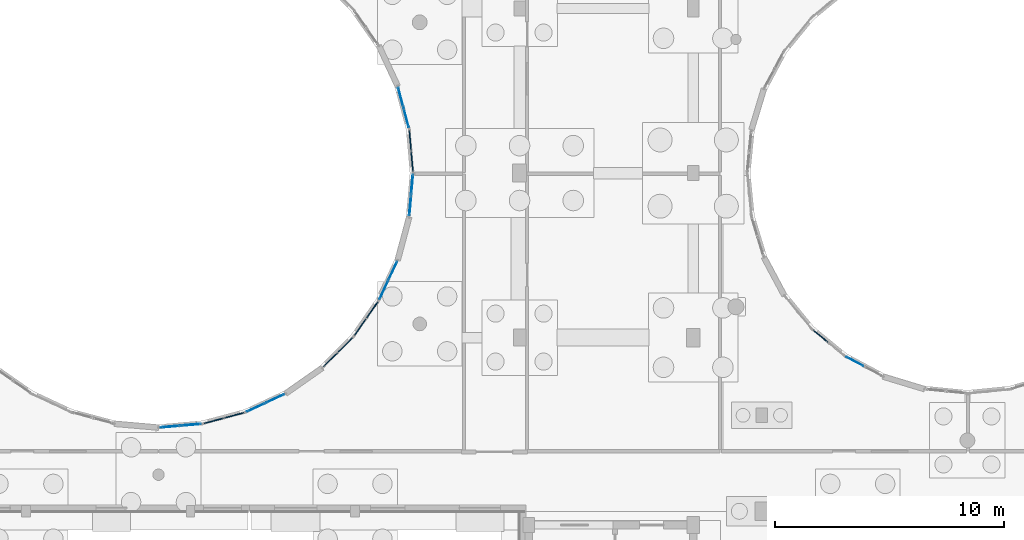
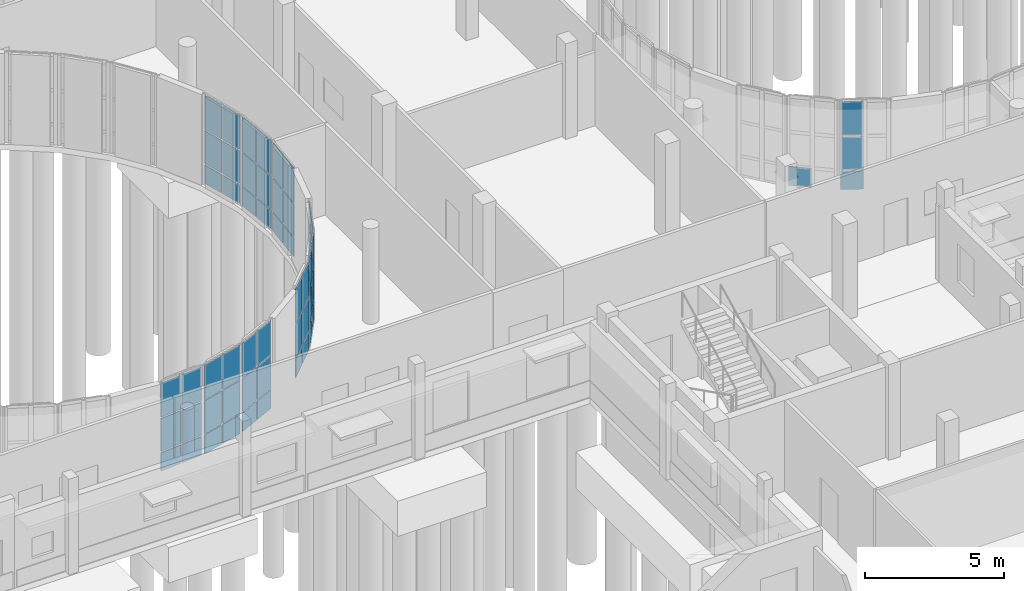
# One storey, part 51 of 93: 58 plates, 11 elements without a shape of their own.
"""IFC4 building model written with IfcOpenShell, lengths in metres."""

from ifc_helpers import new_model, si_unit, direction, frame, origin, origin_2d, place, context, subcontext, project, spatial, rectangle, extrude, material, layer, layer_set, type_object, element, aggregate, save


model = new_model("IFC4")

# Units and contexts
model_context = context("Model", 3, precision=1e-05, world=origin(), true_north=direction((0.0, 1.0)))
body_context = subcontext(model_context, "Body", "Model", "MODEL_VIEW")
ifc_project = project(units=[si_unit("LENGTHUNIT", "METRE"), si_unit("AREAUNIT", "SQUARE_METRE"), si_unit("VOLUMEUNIT", "CUBIC_METRE"), si_unit("PLANEANGLEUNIT", "RADIAN"), si_unit("MASSUNIT", "GRAM", prefix="KILO")], contexts=[model_context])

# Site, building, storey
site_placement = place(None, origin())
site = spatial("IfcSite", under=ifc_project, at=site_placement, CompositionType="ELEMENT")
building_placement = place(site_placement, origin())
building = spatial("IfcBuilding", under=site, at=building_placement, Name="Kelanivale Promenade Academy", CompositionType="ELEMENT")
storey_placement = place(building_placement, origin())
storey = spatial("IfcBuildingStorey", under=building, at=storey_placement, Name="L00", CompositionType="ELEMENT", Elevation=0.0)

# Curtain wall, plates
ifc_material_1 = material(Name="Bronze anodised aluminium and solar-control low-E glass", Category="aluminium")
ifc_layer_1 = layer(ifc_material_1, 0.169921875)
ifc_layer_set_1 = layer_set([ifc_layer_1], Name="Bronze anodised aluminium and solar-control low-E glass")
curtain_wall_type_1 = type_object("IfcCurtainWallType", Name="CW-16 Curtain Wall 1800mm Module", PredefinedType="USERDEFINED", material=ifc_layer_set_1)
curtain_wall_1_placement = place(storey_placement, origin())
curtain_wall_1 = element("IfcCurtainWall", 1, at=curtain_wall_1_placement, inside=storey, type_object=curtain_wall_type_1, Name="L00 courtyard curtain wall CW-16", ObjectType="COURTYARD SCREEN GLAZING", PredefinedType="USERDEFINED")
ifc_material_2 = material(Name="Solar-control double glazing 28 mm", Category="glass")
ifc_layer_2 = layer(ifc_material_2, 0.028076171875)
ifc_layer_set_2 = layer_set([ifc_layer_2], Name="Solar-control double glazing 28 mm")
plate_type_1 = type_object("IfcPlateType", Name="CWP-01 Plate 28mm", PredefinedType="CURTAIN_PANEL", material=ifc_layer_set_2)
plate_1_placement = place(storey_placement, frame((93.8779296875, 48.552490234375, 0.06005859375), z_axis=(0.0, 0.0, 1.0), x_axis=(0.881978204448, -0.471290193914, 0.0)))
plate_1 = element("IfcPlate", 2, at=plate_1_placement, type_object=plate_type_1, Name="CW-16 panel 1.1", PredefinedType="CURTAIN_PANEL", context=body_context, shape_type="SweptSolid", body=[
    extrude(rectangle(XDim=0.82666015625, YDim=0.028076171875, at=origin_2d()), origin(), (0.0, 0.0, 1.0), 0.81005859375),
])
plate_2_placement = place(storey_placement, frame((93.8779296875, 48.552490234375, 0.929931640625), z_axis=(0.0, 0.0, 1.0), x_axis=(0.881978204448, -0.471290193914, 0.0)))
plate_2 = element("IfcPlate", 3, at=plate_2_placement, type_object=plate_type_1, Name="CW-16 panel 1.2", PredefinedType="CURTAIN_PANEL", context=body_context, shape_type="SweptSolid", body=[
    extrude(rectangle(XDim=0.82666015625, YDim=0.028076171875, at=origin_2d()), origin(), (0.0, 0.0, 1.0), 1.43994140625),
])
plate_3_placement = place(storey_placement, frame((93.8779296875, 48.552490234375, 2.43017578125), z_axis=(0.0, 0.0, 1.0), x_axis=(0.881978204448, -0.471290193914, 0.0)))
plate_3 = element("IfcPlate", 4, at=plate_3_placement, type_object=plate_type_1, Name="CW-16 panel 1.3", PredefinedType="CURTAIN_PANEL", context=body_context, shape_type="SweptSolid", body=[
    extrude(rectangle(XDim=0.82666015625, YDim=0.028076171875, at=origin_2d()), origin(), (0.0, 0.0, 1.0), 1.489990234375),
])
aggregate(curtain_wall_1, [plate_1, plate_2, plate_3])

ifc_layer_3 = layer(ifc_material_1, 0.169921875)
ifc_layer_set_3 = layer_set([ifc_layer_3], Name="Bronze anodised aluminium and solar-control low-E glass")
curtain_wall_type_2 = type_object("IfcCurtainWallType", Name="CW-22 Curtain Wall 1800mm Module", PredefinedType="USERDEFINED", material=ifc_layer_set_3)
curtain_wall_2_placement = place(storey_placement, origin())
curtain_wall_2 = element("IfcCurtainWall", 5, at=curtain_wall_2_placement, inside=storey, type_object=curtain_wall_type_2, Name="L00 courtyard curtain wall CW-22", ObjectType="COURTYARD SCREEN GLAZING", PredefinedType="USERDEFINED")
plate_4_placement = place(storey_placement, frame((67.66552734375, 46.543701171875, 0.0498046875), z_axis=(0.0, 0.0, 1.0), x_axis=(0.906089128146, 0.423086860887, 0.0)))
plate_4 = element("IfcPlate", 6, at=plate_4_placement, type_object=plate_type_1, Name="CW-22 panel 1.1", PredefinedType="CURTAIN_PANEL", context=body_context, shape_type="SweptSolid", body=[
    extrude(rectangle(XDim=0.861328125, YDim=0.028076171875, at=origin_2d()), origin(), (0.0, 0.0, 1.0), 0.824951171875),
])
plate_5_placement = place(storey_placement, frame((67.66552734375, 46.543701171875, 0.9248046875), z_axis=(0.0, 0.0, 1.0), x_axis=(0.906089128146, 0.423086860887, 0.0)))
plate_5 = element("IfcPlate", 7, at=plate_5_placement, type_object=plate_type_1, Name="CW-22 panel 1.2", PredefinedType="CURTAIN_PANEL", context=body_context, shape_type="SweptSolid", body=[
    extrude(rectangle(XDim=0.861328125, YDim=0.028076171875, at=origin_2d()), origin(), (0.0, 0.0, 1.0), 1.449951171875),
])
plate_6_placement = place(storey_placement, frame((67.66552734375, 46.543701171875, 2.425048828125), z_axis=(0.0, 0.0, 1.0), x_axis=(0.906089128146, 0.423086860887, 0.0)))
plate_6 = element("IfcPlate", 8, at=plate_6_placement, type_object=plate_type_1, Name="CW-22 panel 1.3", PredefinedType="CURTAIN_PANEL", context=body_context, shape_type="SweptSolid", body=[
    extrude(rectangle(XDim=0.861328125, YDim=0.028076171875, at=origin_2d()), origin(), (0.0, 0.0, 1.0), 1.5048828125),
])
plate_7_placement = place(storey_placement, frame((68.50048828125, 46.933349609375, 0.0498046875), z_axis=(0.0, 0.0, 1.0), x_axis=(0.906089128146, 0.423086860887, 0.0)))
plate_7 = element("IfcPlate", 9, at=plate_7_placement, type_object=plate_type_1, Name="CW-22 panel 2.1", PredefinedType="CURTAIN_PANEL", context=body_context, shape_type="SweptSolid", body=[
    extrude(rectangle(XDim=0.861328125, YDim=0.028076171875, at=origin_2d()), origin(), (0.0, 0.0, 1.0), 0.824951171875),
])
plate_8_placement = place(storey_placement, frame((68.50048828125, 46.933349609375, 0.9248046875), z_axis=(0.0, 0.0, 1.0), x_axis=(0.906089128146, 0.423086860887, 0.0)))
plate_8 = element("IfcPlate", 10, at=plate_8_placement, type_object=plate_type_1, Name="CW-22 panel 2.2", PredefinedType="CURTAIN_PANEL", context=body_context, shape_type="SweptSolid", body=[
    extrude(rectangle(XDim=0.861328125, YDim=0.028076171875, at=origin_2d()), origin(), (0.0, 0.0, 1.0), 1.449951171875),
])
plate_9_placement = place(storey_placement, frame((68.50048828125, 46.933349609375, 2.425048828125), z_axis=(0.0, 0.0, 1.0), x_axis=(0.906089128146, 0.423086860887, 0.0)))
plate_9 = element("IfcPlate", 11, at=plate_9_placement, type_object=plate_type_1, Name="CW-22 panel 2.3", PredefinedType="CURTAIN_PANEL", context=body_context, shape_type="SweptSolid", body=[
    extrude(rectangle(XDim=0.861328125, YDim=0.028076171875, at=origin_2d()), origin(), (0.0, 0.0, 1.0), 1.5048828125),
])
aggregate(curtain_wall_2, [plate_4, plate_5, plate_6, plate_7, plate_8, plate_9])

ifc_layer_4 = layer(ifc_material_1, 0.169921875)
ifc_layer_set_4 = layer_set([ifc_layer_4], Name="Bronze anodised aluminium and solar-control low-E glass")
curtain_wall_type_3 = type_object("IfcCurtainWallType", Name="CW-01 Curtain Wall 1350mm Module", PredefinedType="USERDEFINED", material=ifc_layer_set_4)
curtain_wall_3_placement = place(storey_placement, origin())
curtain_wall_3 = element("IfcCurtainWall", 12, at=curtain_wall_3_placement, inside=storey, type_object=curtain_wall_type_3, Name="L00 courtyard curtain wall CW-01", ObjectType="UNITISED GLAZING", PredefinedType="USERDEFINED")
plate_10_placement = place(storey_placement, frame((73.260498046875, 51.685546875, 0.0498046875), z_axis=(0.0, 0.0, 1.0), x_axis=(0.423086860887, 0.906089128146, 0.0)))
plate_10 = element("IfcPlate", 13, at=plate_10_placement, type_object=plate_type_1, Name="CW-01 panel 1.1", PredefinedType="CURTAIN_PANEL", context=body_context, shape_type="SweptSolid", body=[
    extrude(rectangle(XDim=0.861328125, YDim=0.028076171875, at=origin_2d()), origin(), (0.0, 0.0, 1.0), 0.824951171875),
])
plate_11_placement = place(storey_placement, frame((73.260498046875, 51.685546875, 0.9248046875), z_axis=(0.0, 0.0, 1.0), x_axis=(0.423086860887, 0.906089128146, 0.0)))
plate_11 = element("IfcPlate", 14, at=plate_11_placement, type_object=plate_type_1, Name="CW-01 panel 1.2", PredefinedType="CURTAIN_PANEL", context=body_context, shape_type="SweptSolid", body=[
    extrude(rectangle(XDim=0.861328125, YDim=0.028076171875, at=origin_2d()), origin(), (0.0, 0.0, 1.0), 1.449951171875),
])
plate_12_placement = place(storey_placement, frame((73.260498046875, 51.685546875, 2.425048828125), z_axis=(0.0, 0.0, 1.0), x_axis=(0.423086860887, 0.906089128146, 0.0)))
plate_12 = element("IfcPlate", 15, at=plate_12_placement, type_object=plate_type_1, Name="CW-01 panel 1.3", PredefinedType="CURTAIN_PANEL", context=body_context, shape_type="SweptSolid", body=[
    extrude(rectangle(XDim=0.861328125, YDim=0.028076171875, at=origin_2d()), origin(), (0.0, 0.0, 1.0), 1.5048828125),
])
plate_13_placement = place(storey_placement, frame((73.650390625, 52.5205078125, 0.0498046875), z_axis=(0.0, 0.0, 1.0), x_axis=(0.423086860887, 0.906089128146, 0.0)))
plate_13 = element("IfcPlate", 16, at=plate_13_placement, type_object=plate_type_1, Name="CW-01 panel 2.1", PredefinedType="CURTAIN_PANEL", context=body_context, shape_type="SweptSolid", body=[
    extrude(rectangle(XDim=0.861328125, YDim=0.028076171875, at=origin_2d()), origin(), (0.0, 0.0, 1.0), 0.824951171875),
])
plate_14_placement = place(storey_placement, frame((73.650390625, 52.5205078125, 0.9248046875), z_axis=(0.0, 0.0, 1.0), x_axis=(0.423086860887, 0.906089128146, 0.0)))
plate_14 = element("IfcPlate", 17, at=plate_14_placement, type_object=plate_type_1, Name="CW-01 panel 2.2", PredefinedType="CURTAIN_PANEL", context=body_context, shape_type="SweptSolid", body=[
    extrude(rectangle(XDim=0.861328125, YDim=0.028076171875, at=origin_2d()), origin(), (0.0, 0.0, 1.0), 1.449951171875),
])
plate_15_placement = place(storey_placement, frame((73.650390625, 52.5205078125, 2.425048828125), z_axis=(0.0, 0.0, 1.0), x_axis=(0.423086860887, 0.906089128146, 0.0)))
plate_15 = element("IfcPlate", 18, at=plate_15_placement, type_object=plate_type_1, Name="CW-01 panel 2.3", PredefinedType="CURTAIN_PANEL", context=body_context, shape_type="SweptSolid", body=[
    extrude(rectangle(XDim=0.861328125, YDim=0.028076171875, at=origin_2d()), origin(), (0.0, 0.0, 1.0), 1.5048828125),
])
aggregate(curtain_wall_3, [plate_10, plate_11, plate_12, plate_13, plate_14, plate_15])

ifc_layer_5 = layer(ifc_material_1, 0.169921875)
ifc_layer_set_5 = layer_set([ifc_layer_5], Name="Bronze anodised aluminium and solar-control low-E glass")
curtain_wall_type_4 = type_object("IfcCurtainWallType", Name="CW-04 Curtain Wall 1800mm Module", PredefinedType="USERDEFINED", material=ifc_layer_set_5)
curtain_wall_4_placement = place(storey_placement, origin())
curtain_wall_4 = element("IfcCurtainWall", 19, at=curtain_wall_4_placement, inside=storey, type_object=curtain_wall_type_4, Name="L00 courtyard curtain wall CW-04", ObjectType="UNITISED GLAZING", PredefinedType="USERDEFINED")
plate_16_placement = place(storey_placement, frame((74.24072265625, 59.22119140625, 0.06005859375), z_axis=(0.0, 0.0, 1.0), x_axis=(-0.258578458902, 0.965990259056, 0.0)))
plate_16 = element("IfcPlate", 20, at=plate_16_placement, type_object=plate_type_1, Name="CW-04 panel 1.1", PredefinedType="CURTAIN_PANEL", context=body_context, shape_type="SweptSolid", body=[
    extrude(rectangle(XDim=0.853759765625, YDim=0.028076171875, at=origin_2d()), origin(), (0.0, 0.0, 1.0), 0.81005859375),
])
plate_17_placement = place(storey_placement, frame((74.24072265625, 59.22119140625, 0.929931640625), z_axis=(0.0, 0.0, 1.0), x_axis=(-0.258578458902, 0.965990259056, 0.0)))
plate_17 = element("IfcPlate", 21, at=plate_17_placement, type_object=plate_type_1, Name="CW-04 panel 1.2", PredefinedType="CURTAIN_PANEL", context=body_context, shape_type="SweptSolid", body=[
    extrude(rectangle(XDim=0.853759765625, YDim=0.028076171875, at=origin_2d()), origin(), (0.0, 0.0, 1.0), 1.43994140625),
])
plate_18_placement = place(storey_placement, frame((74.24072265625, 59.22119140625, 2.43017578125), z_axis=(0.0, 0.0, 1.0), x_axis=(-0.258578458902, 0.965990259056, 0.0)))
plate_18 = element("IfcPlate", 22, at=plate_18_placement, type_object=plate_type_1, Name="CW-04 panel 1.3", PredefinedType="CURTAIN_PANEL", context=body_context, shape_type="SweptSolid", body=[
    extrude(rectangle(XDim=0.853759765625, YDim=0.028076171875, at=origin_2d()), origin(), (0.0, 0.0, 1.0), 1.489990234375),
])
plate_19_placement = place(storey_placement, frame((74.003173828125, 60.10888671875, 0.06005859375), z_axis=(0.0, 0.0, 1.0), x_axis=(-0.258578458902, 0.965990259056, 0.0)))
plate_19 = element("IfcPlate", 23, at=plate_19_placement, type_object=plate_type_1, Name="CW-04 panel 2.1", PredefinedType="CURTAIN_PANEL", context=body_context, shape_type="SweptSolid", body=[
    extrude(rectangle(XDim=0.853759765625, YDim=0.028076171875, at=origin_2d()), origin(), (0.0, 0.0, 1.0), 0.81005859375),
])
plate_20_placement = place(storey_placement, frame((74.003173828125, 60.10888671875, 0.929931640625), z_axis=(0.0, 0.0, 1.0), x_axis=(-0.258578458902, 0.965990259056, 0.0)))
plate_20 = element("IfcPlate", 24, at=plate_20_placement, type_object=plate_type_1, Name="CW-04 panel 2.2", PredefinedType="CURTAIN_PANEL", context=body_context, shape_type="SweptSolid", body=[
    extrude(rectangle(XDim=0.853759765625, YDim=0.028076171875, at=origin_2d()), origin(), (0.0, 0.0, 1.0), 1.43994140625),
])
plate_21_placement = place(storey_placement, frame((74.003173828125, 60.10888671875, 2.43017578125), z_axis=(0.0, 0.0, 1.0), x_axis=(-0.258578458902, 0.965990259056, 0.0)))
plate_21 = element("IfcPlate", 25, at=plate_21_placement, type_object=plate_type_1, Name="CW-04 panel 2.3", PredefinedType="CURTAIN_PANEL", context=body_context, shape_type="SweptSolid", body=[
    extrude(rectangle(XDim=0.853759765625, YDim=0.028076171875, at=origin_2d()), origin(), (0.0, 0.0, 1.0), 1.489990234375),
])
aggregate(curtain_wall_4, [plate_16, plate_17, plate_18, plate_19, plate_20, plate_21])

ifc_layer_6 = layer(ifc_material_1, 0.179931640625)
ifc_layer_set_6 = layer_set([ifc_layer_6], Name="Bronze anodised aluminium and solar-control low-E glass")
curtain_wall_type_5 = type_object("IfcCurtainWallType", Name="CW-20 Curtain Wall 1500mm Module", PredefinedType="USERDEFINED", material=ifc_layer_set_6)
curtain_wall_5_placement = place(storey_placement, origin())
curtain_wall_5 = element("IfcCurtainWall", 26, at=curtain_wall_5_placement, inside=storey, type_object=curtain_wall_type_5, Name="L00 courtyard curtain wall CW-20", ObjectType="COURTYARD SCREEN GLAZING", PredefinedType="USERDEFINED")
ifc_material_3 = material(Name="Acoustic laminated double glazing 36 mm", Category="glass")
ifc_layer_7 = layer(ifc_material_3, 0.035888671875)
ifc_layer_set_7 = layer_set([ifc_layer_7], Name="Acoustic laminated double glazing 36 mm")
plate_type_2 = type_object("IfcPlateType", Name="CWP-02 Plate 36mm", PredefinedType="CURTAIN_PANEL", material=ifc_layer_set_7)
plate_22_placement = place(storey_placement, frame((63.9169921875, 45.704833984375, 0.06005859375), z_axis=(0.0, 0.0, 1.0), x_axis=(0.996185153601, 0.087264768066, 0.0)))
plate_22 = element("IfcPlate", 27, at=plate_22_placement, type_object=plate_type_2, Name="CW-20 panel 1.1", PredefinedType="CURTAIN_PANEL", context=body_context, shape_type="SweptSolid", body=[
    extrude(rectangle(XDim=0.853515625, YDim=0.035888671875, at=origin_2d()), origin(), (0.0, 0.0, 1.0), 0.81005859375),
])
plate_23_placement = place(storey_placement, frame((63.9169921875, 45.704833984375, 0.929931640625), z_axis=(0.0, 0.0, 1.0), x_axis=(0.996185153601, 0.087264768066, 0.0)))
plate_23 = element("IfcPlate", 28, at=plate_23_placement, type_object=plate_type_2, Name="CW-20 panel 1.2", PredefinedType="CURTAIN_PANEL", context=body_context, shape_type="SweptSolid", body=[
    extrude(rectangle(XDim=0.853515625, YDim=0.035888671875, at=origin_2d()), origin(), (0.0, 0.0, 1.0), 1.43994140625),
])
plate_24_placement = place(storey_placement, frame((63.9169921875, 45.704833984375, 2.43017578125), z_axis=(0.0, 0.0, 1.0), x_axis=(0.996185153601, 0.087264768066, 0.0)))
plate_24 = element("IfcPlate", 29, at=plate_24_placement, type_object=plate_type_2, Name="CW-20 panel 1.3", PredefinedType="CURTAIN_PANEL", context=body_context, shape_type="SweptSolid", body=[
    extrude(rectangle(XDim=0.853515625, YDim=0.035888671875, at=origin_2d()), origin(), (0.0, 0.0, 1.0), 1.489990234375),
])
plate_25_placement = place(storey_placement, frame((64.83203125, 45.78515625, 0.06005859375), z_axis=(0.0, 0.0, 1.0), x_axis=(0.996185153601, 0.087264768066, 0.0)))
plate_25 = element("IfcPlate", 30, at=plate_25_placement, type_object=plate_type_2, Name="CW-20 panel 2.1", PredefinedType="CURTAIN_PANEL", context=body_context, shape_type="SweptSolid", body=[
    extrude(rectangle(XDim=0.853515625, YDim=0.035888671875, at=origin_2d()), origin(), (0.0, 0.0, 1.0), 0.81005859375),
])
plate_26_placement = place(storey_placement, frame((64.83203125, 45.78515625, 0.929931640625), z_axis=(0.0, 0.0, 1.0), x_axis=(0.996185153601, 0.087264768066, 0.0)))
plate_26 = element("IfcPlate", 31, at=plate_26_placement, type_object=plate_type_2, Name="CW-20 panel 2.2", PredefinedType="CURTAIN_PANEL", context=body_context, shape_type="SweptSolid", body=[
    extrude(rectangle(XDim=0.853515625, YDim=0.035888671875, at=origin_2d()), origin(), (0.0, 0.0, 1.0), 1.43994140625),
])
plate_27_placement = place(storey_placement, frame((64.83203125, 45.78515625, 2.43017578125), z_axis=(0.0, 0.0, 1.0), x_axis=(0.996185153601, 0.087264768066, 0.0)))
plate_27 = element("IfcPlate", 32, at=plate_27_placement, type_object=plate_type_2, Name="CW-20 panel 2.3", PredefinedType="CURTAIN_PANEL", context=body_context, shape_type="SweptSolid", body=[
    extrude(rectangle(XDim=0.853515625, YDim=0.035888671875, at=origin_2d()), origin(), (0.0, 0.0, 1.0), 1.489990234375),
])
aggregate(curtain_wall_5, [plate_22, plate_23, plate_24, plate_25, plate_26, plate_27])

ifc_layer_8 = layer(ifc_material_1, 0.179931640625)
ifc_layer_set_8 = layer_set([ifc_layer_8], Name="Bronze anodised aluminium and solar-control low-E glass")
curtain_wall_type_6 = type_object("IfcCurtainWallType", Name="CW-23 Curtain Wall 1950mm Module", PredefinedType="USERDEFINED", material=ifc_layer_set_8)
curtain_wall_6_placement = place(storey_placement, origin())
curtain_wall_6 = element("IfcCurtainWall", 33, at=curtain_wall_6_placement, inside=storey, type_object=curtain_wall_type_6, Name="L00 courtyard curtain wall CW-23", ObjectType="COURTYARD SCREEN GLAZING", PredefinedType="USERDEFINED")
plate_28_placement = place(storey_placement, frame((70.928466796875, 48.633544921875, 0.0498046875), z_axis=(0.0, 0.0, 1.0), x_axis=(0.707106781187, 0.707106781187, 0.0)))
plate_28 = element("IfcPlate", 34, at=plate_28_placement, type_object=plate_type_2, Name="CW-23 panel 1.1", PredefinedType="CURTAIN_PANEL", context=body_context, shape_type="SweptSolid", body=[
    extrude(rectangle(XDim=0.852783203125, YDim=0.035888671875, at=origin_2d()), origin(), (0.0, 0.0, 1.0), 0.824951171875),
])
plate_29_placement = place(storey_placement, frame((70.928466796875, 48.633544921875, 0.9248046875), z_axis=(0.0, 0.0, 1.0), x_axis=(0.707106781187, 0.707106781187, 0.0)))
plate_29 = element("IfcPlate", 35, at=plate_29_placement, type_object=plate_type_2, Name="CW-23 panel 1.2", PredefinedType="CURTAIN_PANEL", context=body_context, shape_type="SweptSolid", body=[
    extrude(rectangle(XDim=0.852783203125, YDim=0.035888671875, at=origin_2d()), origin(), (0.0, 0.0, 1.0), 1.449951171875),
])
plate_30_placement = place(storey_placement, frame((70.928466796875, 48.633544921875, 2.425048828125), z_axis=(0.0, 0.0, 1.0), x_axis=(0.707106781187, 0.707106781187, 0.0)))
plate_30 = element("IfcPlate", 36, at=plate_30_placement, type_object=plate_type_2, Name="CW-23 panel 1.3", PredefinedType="CURTAIN_PANEL", context=body_context, shape_type="SweptSolid", body=[
    extrude(rectangle(XDim=0.852783203125, YDim=0.035888671875, at=origin_2d()), origin(), (0.0, 0.0, 1.0), 1.5048828125),
])
plate_31_placement = place(storey_placement, frame((71.577392578125, 49.282470703125, 0.0498046875), z_axis=(0.0, 0.0, 1.0), x_axis=(0.707106781187, 0.707106781187, 0.0)))
plate_31 = element("IfcPlate", 37, at=plate_31_placement, type_object=plate_type_2, Name="CW-23 panel 2.1", PredefinedType="CURTAIN_PANEL", context=body_context, shape_type="SweptSolid", body=[
    extrude(rectangle(XDim=0.852783203125, YDim=0.035888671875, at=origin_2d()), origin(), (0.0, 0.0, 1.0), 0.824951171875),
])
plate_32_placement = place(storey_placement, frame((71.577392578125, 49.282470703125, 0.9248046875), z_axis=(0.0, 0.0, 1.0), x_axis=(0.707106781187, 0.707106781187, 0.0)))
plate_32 = element("IfcPlate", 38, at=plate_32_placement, type_object=plate_type_2, Name="CW-23 panel 2.2", PredefinedType="CURTAIN_PANEL", context=body_context, shape_type="SweptSolid", body=[
    extrude(rectangle(XDim=0.852783203125, YDim=0.035888671875, at=origin_2d()), origin(), (0.0, 0.0, 1.0), 1.449951171875),
])
plate_33_placement = place(storey_placement, frame((71.577392578125, 49.282470703125, 2.425048828125), z_axis=(0.0, 0.0, 1.0), x_axis=(0.707106781187, 0.707106781187, 0.0)))
plate_33 = element("IfcPlate", 39, at=plate_33_placement, type_object=plate_type_2, Name="CW-23 panel 2.3", PredefinedType="CURTAIN_PANEL", context=body_context, shape_type="SweptSolid", body=[
    extrude(rectangle(XDim=0.852783203125, YDim=0.035888671875, at=origin_2d()), origin(), (0.0, 0.0, 1.0), 1.5048828125),
])
aggregate(curtain_wall_6, [plate_28, plate_29, plate_30, plate_31, plate_32, plate_33])

ifc_layer_9 = layer(ifc_material_1, 0.179931640625)
ifc_layer_set_9 = layer_set([ifc_layer_9], Name="Bronze anodised aluminium and solar-control low-E glass")
curtain_wall_type_7 = type_object("IfcCurtainWallType", Name="CW-02 Curtain Wall 1500mm Module", PredefinedType="USERDEFINED", material=ifc_layer_set_9)
curtain_wall_7_placement = place(storey_placement, origin())
curtain_wall_7 = element("IfcCurtainWall", 40, at=curtain_wall_7_placement, inside=storey, type_object=curtain_wall_type_7, Name="L00 courtyard curtain wall CW-02", ObjectType="UNITISED GLAZING", PredefinedType="USERDEFINED")
plate_34_placement = place(storey_placement, frame((74.415771484375, 55.381591796875, 0.0498046875), z_axis=(0.0, 0.0, 1.0), x_axis=(0.087264768066, 0.996185153601, 0.0)))
plate_34 = element("IfcPlate", 41, at=plate_34_placement, type_object=plate_type_2, Name="CW-02 panel 1.1", PredefinedType="CURTAIN_PANEL", context=body_context, shape_type="SweptSolid", body=[
    extrude(rectangle(XDim=0.861083984375, YDim=0.035888671875, at=origin_2d()), origin(), (0.0, 0.0, 1.0), 0.824951171875),
])
plate_35_placement = place(storey_placement, frame((74.415771484375, 55.381591796875, 0.9248046875), z_axis=(0.0, 0.0, 1.0), x_axis=(0.087264768066, 0.996185153601, 0.0)))
plate_35 = element("IfcPlate", 42, at=plate_35_placement, type_object=plate_type_2, Name="CW-02 panel 1.2", PredefinedType="CURTAIN_PANEL", context=body_context, shape_type="SweptSolid", body=[
    extrude(rectangle(XDim=0.861083984375, YDim=0.035888671875, at=origin_2d()), origin(), (0.0, 0.0, 1.0), 1.449951171875),
])
plate_36_placement = place(storey_placement, frame((74.415771484375, 55.381591796875, 2.425048828125), z_axis=(0.0, 0.0, 1.0), x_axis=(0.087264768066, 0.996185153601, 0.0)))
plate_36 = element("IfcPlate", 43, at=plate_36_placement, type_object=plate_type_2, Name="CW-02 panel 1.3", PredefinedType="CURTAIN_PANEL", context=body_context, shape_type="SweptSolid", body=[
    extrude(rectangle(XDim=0.861083984375, YDim=0.035888671875, at=origin_2d()), origin(), (0.0, 0.0, 1.0), 1.5048828125),
])
plate_37_placement = place(storey_placement, frame((74.49609375, 56.29931640625, 0.0498046875), z_axis=(0.0, 0.0, 1.0), x_axis=(0.087264768066, 0.996185153601, 0.0)))
plate_37 = element("IfcPlate", 44, at=plate_37_placement, type_object=plate_type_2, Name="CW-02 panel 2.1", PredefinedType="CURTAIN_PANEL", context=body_context, shape_type="SweptSolid", body=[
    extrude(rectangle(XDim=0.861083984375, YDim=0.035888671875, at=origin_2d()), origin(), (0.0, 0.0, 1.0), 0.824951171875),
])
plate_38_placement = place(storey_placement, frame((74.49609375, 56.29931640625, 0.9248046875), z_axis=(0.0, 0.0, 1.0), x_axis=(0.087264768066, 0.996185153601, 0.0)))
plate_38 = element("IfcPlate", 45, at=plate_38_placement, type_object=plate_type_2, Name="CW-02 panel 2.2", PredefinedType="CURTAIN_PANEL", context=body_context, shape_type="SweptSolid", body=[
    extrude(rectangle(XDim=0.861083984375, YDim=0.035888671875, at=origin_2d()), origin(), (0.0, 0.0, 1.0), 1.449951171875),
])
plate_39_placement = place(storey_placement, frame((74.49609375, 56.29931640625, 2.425048828125), z_axis=(0.0, 0.0, 1.0), x_axis=(0.087264768066, 0.996185153601, 0.0)))
plate_39 = element("IfcPlate", 46, at=plate_39_placement, type_object=plate_type_2, Name="CW-02 panel 2.3", PredefinedType="CURTAIN_PANEL", context=body_context, shape_type="SweptSolid", body=[
    extrude(rectangle(XDim=0.861083984375, YDim=0.035888671875, at=origin_2d()), origin(), (0.0, 0.0, 1.0), 1.5048828125),
])
aggregate(curtain_wall_7, [plate_34, plate_35, plate_36, plate_37, plate_38, plate_39])

# Curtain wall, plate
ifc_layer_10 = layer(ifc_material_1, 0.159912109375)
ifc_layer_set_10 = layer_set([ifc_layer_10], Name="Bronze anodised aluminium and solar-control low-E glass")
curtain_wall_type_8 = type_object("IfcCurtainWallType", Name="CW-15 Curtain Wall 1650mm Module", PredefinedType="USERDEFINED", material=ifc_layer_set_10)
curtain_wall_8_placement = place(storey_placement, origin())
curtain_wall_8 = element("IfcCurtainWall", 47, at=curtain_wall_8_placement, inside=storey, type_object=curtain_wall_type_8, Name="L00 courtyard curtain wall CW-15", ObjectType="COURTYARD SCREEN GLAZING", PredefinedType="USERDEFINED")
ifc_material_4 = material(Name="Insulated bronze aluminium spandrel panel 44 mm", Category="aluminium")
ifc_layer_11 = layer(ifc_material_4, 0.0439453125)
ifc_layer_set_11 = layer_set([ifc_layer_11], Name="Insulated bronze aluminium spandrel panel 44 mm")
plate_type_3 = type_object("IfcPlateType", Name="CWP-03 Plate 44mm", PredefinedType="CURTAIN_PANEL", material=ifc_layer_set_11)
plate_40_placement = place(storey_placement, frame((92.365478515625, 49.66845703125, 0.0498046875), z_axis=(0.0, 0.0, 1.0), x_axis=(0.773215132597, -0.634143799719, 0.0)))
plate_40 = element("IfcPlate", 48, at=plate_40_placement, type_object=plate_type_3, Name="CW-15 panel 1.1", PredefinedType="CURTAIN_PANEL", context=body_context, shape_type="SweptSolid", body=[
    extrude(rectangle(XDim=0.833740234375, YDim=0.0439453125, at=origin_2d()), origin(), (0.0, 0.0, 1.0), 0.824951171875),
])
aggregate(curtain_wall_8, [plate_40])

# Curtain wall, plates
ifc_layer_12 = layer(ifc_material_1, 0.159912109375)
ifc_layer_set_12 = layer_set([ifc_layer_12], Name="Bronze anodised aluminium and solar-control low-E glass")
curtain_wall_type_9 = type_object("IfcCurtainWallType", Name="CW-21 Curtain Wall 1650mm Module", PredefinedType="USERDEFINED", material=ifc_layer_set_12)
curtain_wall_9_placement = place(storey_placement, origin())
curtain_wall_9 = element("IfcCurtainWall", 49, at=curtain_wall_9_placement, inside=storey, type_object=curtain_wall_type_9, Name="L00 courtyard curtain wall CW-21", ObjectType="COURTYARD SCREEN GLAZING", PredefinedType="USERDEFINED")
plate_41_placement = place(storey_placement, frame((65.823486328125, 45.9599609375, 0.0498046875), z_axis=(0.0, 0.0, 1.0), x_axis=(0.96595736195, 0.258701323721, 0.0)))
plate_41 = element("IfcPlate", 50, at=plate_41_placement, type_object=plate_type_3, Name="CW-21 panel 1.1", PredefinedType="CURTAIN_PANEL", context=body_context, shape_type="SweptSolid", body=[
    extrude(rectangle(XDim=0.86865234375, YDim=0.0439453125, at=origin_2d()), origin(), (0.0, 0.0, 1.0), 0.824951171875),
])
plate_42_placement = place(storey_placement, frame((65.823486328125, 45.9599609375, 0.9248046875), z_axis=(0.0, 0.0, 1.0), x_axis=(0.96595736195, 0.258701323721, 0.0)))
plate_42 = element("IfcPlate", 51, at=plate_42_placement, type_object=plate_type_3, Name="CW-21 panel 1.2", PredefinedType="CURTAIN_PANEL", context=body_context, shape_type="SweptSolid", body=[
    extrude(rectangle(XDim=0.86865234375, YDim=0.0439453125, at=origin_2d()), origin(), (0.0, 0.0, 1.0), 1.449951171875),
])
plate_43_placement = place(storey_placement, frame((65.823486328125, 45.9599609375, 2.425048828125), z_axis=(0.0, 0.0, 1.0), x_axis=(0.96595736195, 0.258701323721, 0.0)))
plate_43 = element("IfcPlate", 52, at=plate_43_placement, type_object=plate_type_3, Name="CW-21 panel 1.3", PredefinedType="CURTAIN_PANEL", context=body_context, shape_type="SweptSolid", body=[
    extrude(rectangle(XDim=0.86865234375, YDim=0.0439453125, at=origin_2d()), origin(), (0.0, 0.0, 1.0), 1.5048828125),
])
plate_44_placement = place(storey_placement, frame((66.720458984375, 46.2001953125, 0.0498046875), z_axis=(0.0, 0.0, 1.0), x_axis=(0.96595736195, 0.258701323721, 0.0)))
plate_44 = element("IfcPlate", 53, at=plate_44_placement, type_object=plate_type_3, Name="CW-21 panel 2.1", PredefinedType="CURTAIN_PANEL", context=body_context, shape_type="SweptSolid", body=[
    extrude(rectangle(XDim=0.86865234375, YDim=0.0439453125, at=origin_2d()), origin(), (0.0, 0.0, 1.0), 0.824951171875),
])
plate_45_placement = place(storey_placement, frame((66.720458984375, 46.2001953125, 0.9248046875), z_axis=(0.0, 0.0, 1.0), x_axis=(0.96595736195, 0.258701323721, 0.0)))
plate_45 = element("IfcPlate", 54, at=plate_45_placement, type_object=plate_type_3, Name="CW-21 panel 2.2", PredefinedType="CURTAIN_PANEL", context=body_context, shape_type="SweptSolid", body=[
    extrude(rectangle(XDim=0.86865234375, YDim=0.0439453125, at=origin_2d()), origin(), (0.0, 0.0, 1.0), 1.449951171875),
])
plate_46_placement = place(storey_placement, frame((66.720458984375, 46.2001953125, 2.425048828125), z_axis=(0.0, 0.0, 1.0), x_axis=(0.96595736195, 0.258701323721, 0.0)))
plate_46 = element("IfcPlate", 55, at=plate_46_placement, type_object=plate_type_3, Name="CW-21 panel 2.3", PredefinedType="CURTAIN_PANEL", context=body_context, shape_type="SweptSolid", body=[
    extrude(rectangle(XDim=0.86865234375, YDim=0.0439453125, at=origin_2d()), origin(), (0.0, 0.0, 1.0), 1.5048828125),
])
aggregate(curtain_wall_9, [plate_41, plate_42, plate_43, plate_44, plate_45, plate_46])

ifc_layer_13 = layer(ifc_material_1, 0.159912109375)
ifc_layer_set_13 = layer_set([ifc_layer_13], Name="Bronze anodised aluminium and solar-control low-E glass")
curtain_wall_type_10 = type_object("IfcCurtainWallType", Name="CW-24 Curtain Wall 1200mm Module", PredefinedType="USERDEFINED", material=ifc_layer_set_13)
curtain_wall_10_placement = place(storey_placement, origin())
curtain_wall_10 = element("IfcCurtainWall", 56, at=curtain_wall_10_placement, inside=storey, type_object=curtain_wall_type_10, Name="L00 courtyard curtain wall CW-24", ObjectType="COURTYARD SCREEN GLAZING", PredefinedType="USERDEFINED")
plate_47_placement = place(storey_placement, frame((72.225341796875, 50.05517578125, 0.06005859375), z_axis=(0.0, 0.0, 1.0), x_axis=(0.573567324515, 0.81915842439, 0.0)))
plate_47 = element("IfcPlate", 57, at=plate_47_placement, type_object=plate_type_3, Name="CW-24 panel 1.1", PredefinedType="CURTAIN_PANEL", context=body_context, shape_type="SweptSolid", body=[
    extrude(rectangle(XDim=0.861328125, YDim=0.0439453125, at=origin_2d()), origin(), (0.0, 0.0, 1.0), 0.81005859375),
])
plate_48_placement = place(storey_placement, frame((72.225341796875, 50.05517578125, 0.929931640625), z_axis=(0.0, 0.0, 1.0), x_axis=(0.573567324515, 0.81915842439, 0.0)))
plate_48 = element("IfcPlate", 58, at=plate_48_placement, type_object=plate_type_3, Name="CW-24 panel 1.2", PredefinedType="CURTAIN_PANEL", context=body_context, shape_type="SweptSolid", body=[
    extrude(rectangle(XDim=0.861328125, YDim=0.0439453125, at=origin_2d()), origin(), (0.0, 0.0, 1.0), 1.43994140625),
])
plate_49_placement = place(storey_placement, frame((72.225341796875, 50.05517578125, 2.43017578125), z_axis=(0.0, 0.0, 1.0), x_axis=(0.573567324515, 0.81915842439, 0.0)))
plate_49 = element("IfcPlate", 59, at=plate_49_placement, type_object=plate_type_3, Name="CW-24 panel 1.3", PredefinedType="CURTAIN_PANEL", context=body_context, shape_type="SweptSolid", body=[
    extrude(rectangle(XDim=0.861328125, YDim=0.0439453125, at=origin_2d()), origin(), (0.0, 0.0, 1.0), 1.489990234375),
])
plate_50_placement = place(storey_placement, frame((72.756591796875, 50.81396484375, 0.06005859375), z_axis=(0.0, 0.0, 1.0), x_axis=(0.573567324515, 0.81915842439, 0.0)))
plate_50 = element("IfcPlate", 60, at=plate_50_placement, type_object=plate_type_3, Name="CW-24 panel 2.1", PredefinedType="CURTAIN_PANEL", context=body_context, shape_type="SweptSolid", body=[
    extrude(rectangle(XDim=0.861328125, YDim=0.0439453125, at=origin_2d()), origin(), (0.0, 0.0, 1.0), 0.81005859375),
])
plate_51_placement = place(storey_placement, frame((72.756591796875, 50.81396484375, 0.929931640625), z_axis=(0.0, 0.0, 1.0), x_axis=(0.573567324515, 0.81915842439, 0.0)))
plate_51 = element("IfcPlate", 61, at=plate_51_placement, type_object=plate_type_3, Name="CW-24 panel 2.2", PredefinedType="CURTAIN_PANEL", context=body_context, shape_type="SweptSolid", body=[
    extrude(rectangle(XDim=0.861328125, YDim=0.0439453125, at=origin_2d()), origin(), (0.0, 0.0, 1.0), 1.43994140625),
])
plate_52_placement = place(storey_placement, frame((72.756591796875, 50.81396484375, 2.43017578125), z_axis=(0.0, 0.0, 1.0), x_axis=(0.573567324515, 0.81915842439, 0.0)))
plate_52 = element("IfcPlate", 62, at=plate_52_placement, type_object=plate_type_3, Name="CW-24 panel 2.3", PredefinedType="CURTAIN_PANEL", context=body_context, shape_type="SweptSolid", body=[
    extrude(rectangle(XDim=0.861328125, YDim=0.0439453125, at=origin_2d()), origin(), (0.0, 0.0, 1.0), 1.489990234375),
])
aggregate(curtain_wall_10, [plate_47, plate_48, plate_49, plate_50, plate_51, plate_52])

ifc_layer_14 = layer(ifc_material_1, 0.159912109375)
ifc_layer_set_14 = layer_set([ifc_layer_14], Name="Bronze anodised aluminium and solar-control low-E glass")
curtain_wall_type_11 = type_object("IfcCurtainWallType", Name="CW-03 Curtain Wall 1650mm Module", PredefinedType="USERDEFINED", material=ifc_layer_set_14)
curtain_wall_11_placement = place(storey_placement, origin())
curtain_wall_11 = element("IfcCurtainWall", 63, at=curtain_wall_11_placement, inside=storey, type_object=curtain_wall_type_11, Name="L00 courtyard curtain wall CW-03", ObjectType="UNITISED GLAZING", PredefinedType="USERDEFINED")
plate_53_placement = place(storey_placement, frame((74.495849609375, 57.3056640625, 0.0498046875), z_axis=(0.0, 0.0, 1.0), x_axis=(-0.087102249164, 0.996199376727, 0.0)))
plate_53 = element("IfcPlate", 64, at=plate_53_placement, type_object=plate_type_3, Name="CW-03 panel 1.1", PredefinedType="CURTAIN_PANEL", context=body_context, shape_type="SweptSolid", body=[
    extrude(rectangle(XDim=0.861083984375, YDim=0.0439453125, at=origin_2d()), origin(), (0.0, 0.0, 1.0), 0.824951171875),
])
plate_54_placement = place(storey_placement, frame((74.495849609375, 57.3056640625, 0.9248046875), z_axis=(0.0, 0.0, 1.0), x_axis=(-0.087102249164, 0.996199376727, 0.0)))
plate_54 = element("IfcPlate", 65, at=plate_54_placement, type_object=plate_type_3, Name="CW-03 panel 1.2", PredefinedType="CURTAIN_PANEL", context=body_context, shape_type="SweptSolid", body=[
    extrude(rectangle(XDim=0.861083984375, YDim=0.0439453125, at=origin_2d()), origin(), (0.0, 0.0, 1.0), 1.449951171875),
])
plate_55_placement = place(storey_placement, frame((74.495849609375, 57.3056640625, 2.425048828125), z_axis=(0.0, 0.0, 1.0), x_axis=(-0.087102249164, 0.996199376727, 0.0)))
plate_55 = element("IfcPlate", 66, at=plate_55_placement, type_object=plate_type_3, Name="CW-03 panel 1.3", PredefinedType="CURTAIN_PANEL", context=body_context, shape_type="SweptSolid", body=[
    extrude(rectangle(XDim=0.861083984375, YDim=0.0439453125, at=origin_2d()), origin(), (0.0, 0.0, 1.0), 1.5048828125),
])
plate_56_placement = place(storey_placement, frame((74.415283203125, 58.228271484375, 0.0498046875), z_axis=(0.0, 0.0, 1.0), x_axis=(-0.087102249164, 0.996199376727, 0.0)))
plate_56 = element("IfcPlate", 67, at=plate_56_placement, type_object=plate_type_3, Name="CW-03 panel 2.1", PredefinedType="CURTAIN_PANEL", context=body_context, shape_type="SweptSolid", body=[
    extrude(rectangle(XDim=0.861083984375, YDim=0.0439453125, at=origin_2d()), origin(), (0.0, 0.0, 1.0), 0.824951171875),
])
plate_57_placement = place(storey_placement, frame((74.415283203125, 58.228271484375, 0.9248046875), z_axis=(0.0, 0.0, 1.0), x_axis=(-0.087102249164, 0.996199376727, 0.0)))
plate_57 = element("IfcPlate", 68, at=plate_57_placement, type_object=plate_type_3, Name="CW-03 panel 2.2", PredefinedType="CURTAIN_PANEL", context=body_context, shape_type="SweptSolid", body=[
    extrude(rectangle(XDim=0.861083984375, YDim=0.0439453125, at=origin_2d()), origin(), (0.0, 0.0, 1.0), 1.449951171875),
])
plate_58_placement = place(storey_placement, frame((74.415283203125, 58.228271484375, 2.425048828125), z_axis=(0.0, 0.0, 1.0), x_axis=(-0.087102249164, 0.996199376727, 0.0)))
plate_58 = element("IfcPlate", 69, at=plate_58_placement, type_object=plate_type_3, Name="CW-03 panel 2.3", PredefinedType="CURTAIN_PANEL", context=body_context, shape_type="SweptSolid", body=[
    extrude(rectangle(XDim=0.861083984375, YDim=0.0439453125, at=origin_2d()), origin(), (0.0, 0.0, 1.0), 1.5048828125),
])
aggregate(curtain_wall_11, [plate_53, plate_54, plate_55, plate_56, plate_57, plate_58])

save(model, "model.ifc")
